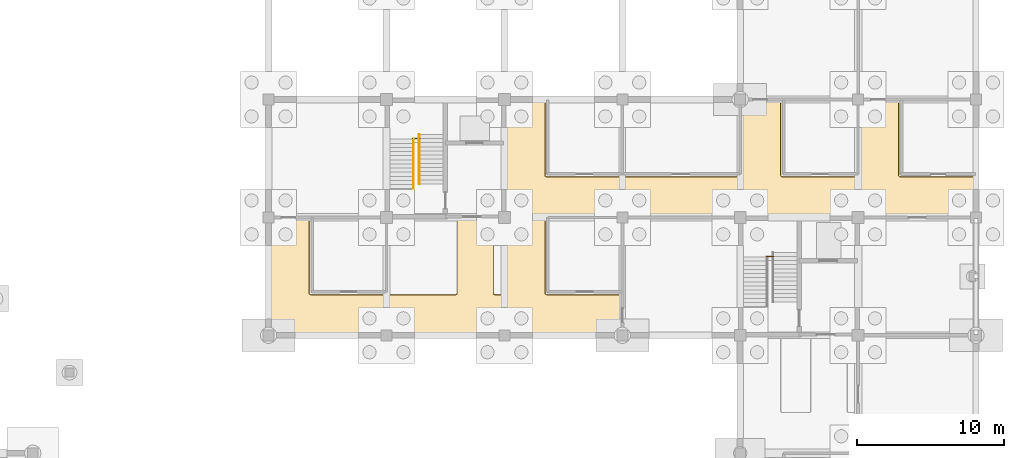
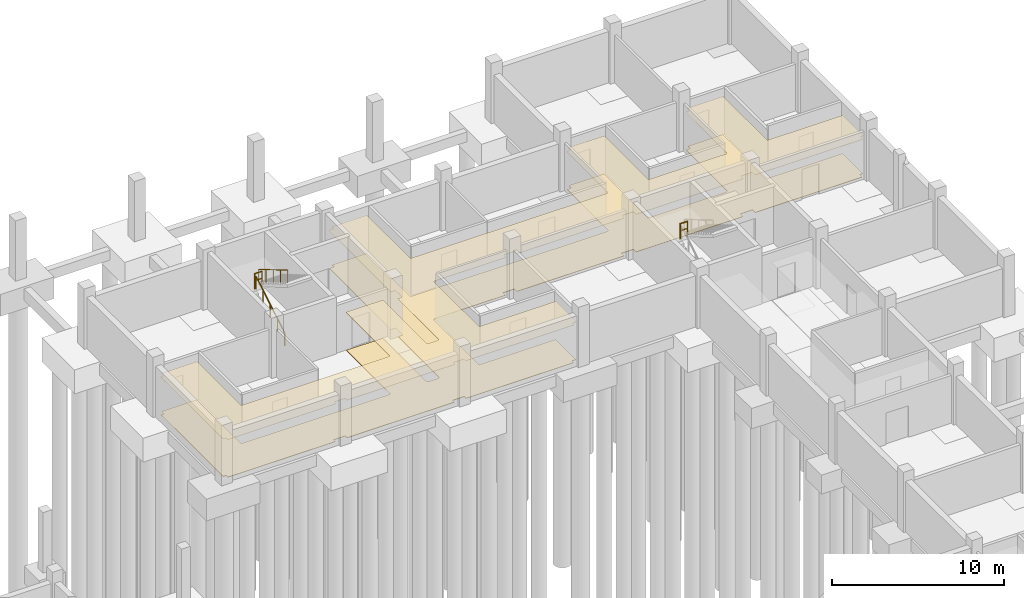
# One storey, part 47 of 48: 4 railings, 2 coverings.
"""IFC4 building model written with IfcOpenShell, lengths in metres."""

from ifc_helpers import new_model, si_unit, derived_unit, direction, frame, origin, origin_2d, place, context, subcontext, project, spatial, polyline, circle, outline, extrude, material, layer, layer_set, type_object, element, save


model = new_model("IFC4")

# Units and contexts
model_context = context("Model", 3, precision=1e-05, world=origin(), true_north=direction((0.0, 1.0)))
body_context = subcontext(model_context, "Body", "Model", "MODEL_VIEW")
ifc_project = project(units=[si_unit("LENGTHUNIT", "METRE"), si_unit("AREAUNIT", "SQUARE_METRE"), si_unit("VOLUMEUNIT", "CUBIC_METRE"), si_unit("PLANEANGLEUNIT", "RADIAN"), si_unit("MASSUNIT", "GRAM", prefix="KILO"), derived_unit("THERMALTRANSMITTANCEUNIT", [(si_unit("MASSUNIT", "GRAM", prefix="KILO"), 1), (si_unit("TIMEUNIT", "SECOND"), -3), (si_unit("THERMODYNAMICTEMPERATUREUNIT", "KELVIN"), -1)])], contexts=[model_context])

# Site, building, storey
site_placement = place(None, origin())
site = spatial("IfcSite", under=ifc_project, at=site_placement, CompositionType="ELEMENT")
building_placement = place(site_placement, origin())
building = spatial("IfcBuilding", under=site, at=building_placement, Name="Veyamyaing Civic Hall", CompositionType="ELEMENT")
storey_placement = place(building_placement, frame((0.0, 0.0, -4.2900390625)))
storey = spatial("IfcBuildingStorey", under=building, at=storey_placement, Name="B1", CompositionType="ELEMENT", Elevation=-4.2900390625)

# Coverings
ifc_material_1 = material(Name="Perforated acoustic gypsum ceiling board")
ifc_layer_1 = layer(ifc_material_1, 0.02490234375, Name="Perforated acoustic gypsum ceiling board")
ifc_layer_set_1 = layer_set([ifc_layer_1], Name="Perforated acoustic gypsum ceiling board")
covering_type_1 = type_object("IfcCoveringType", Name="CLG-01", PredefinedType="CEILING", material=ifc_layer_set_1)
covering_1_placement = place(storey_placement, frame((0.0, 0.0, 2.699951171875)))
element("IfcCovering", 1, at=covering_1_placement, inside=storey, type_object=covering_type_1, Name="Acoustic suspended ceiling CLG-01 B1-C06", PredefinedType="CEILING", context=body_context, shape_type="SweptSolid", body=[
    extrude(outline(polyline([(130.77490234375, 90.8525390625), (130.78125, 90.821533203125), (130.79736328125, 90.79736328125), (130.821533203125, 90.78125), (130.8525390625, 90.77490234375), (140.697509765625, 90.77490234375), (140.729248046875, 90.78125), (140.747314453125, 90.792236328125), (140.76220703125, 90.80859375), (140.771484375, 90.828369140625), (140.77490234375, 90.851806640625), (140.77490234375, 95.925048828125), (143.27490234375, 95.925048828125), (143.27685546875, 90.8349609375), (143.283935546875, 90.8154296875), (143.30322265625, 90.7919921875), (143.3212890625, 90.781005859375), (143.34326171875, 90.775390625), (143.99755859375, 90.77490234375), (144.028564453125, 90.78125), (144.052734375, 90.79736328125), (144.06884765625, 90.821533203125), (144.074951171875, 90.8525390625), (144.074951171875, 95.614990234375), (144.385009765625, 95.614990234375), (144.385009765625, 96.385009765625), (144.074951171875, 96.385009765625), (144.074951171875, 103.614990234375), (144.385009765625, 103.614990234375), (144.385009765625, 103.844970703125), (146.77490234375, 103.844970703125), (146.77490234375, 98.851806640625), (146.7783203125, 98.8291015625), (146.79248046875, 98.802734375), (146.8154296875, 98.783935546875), (146.834716796875, 98.77685546875), (159.99755859375, 98.77490234375), (160.029296875, 98.78125), (160.04736328125, 98.792236328125), (160.06201171875, 98.80859375), (160.071533203125, 98.828369140625), (160.074951171875, 98.851806640625), (160.074951171875, 103.639892578125), (160.360107421875, 103.639892578125), (160.360107421875, 103.925048828125), (162.77490234375, 103.925048828125), (162.77490234375, 98.851318359375), (162.776611328125, 98.8359375), (162.7841796875, 98.814208984375), (162.791748046875, 98.802978515625), (162.80859375, 98.787841796875), (162.828369140625, 98.778564453125), (162.851806640625, 98.77490234375), (168.01513671875, 98.77685546875), (168.03466796875, 98.783935546875), (168.0576171875, 98.802734375), (168.071533203125, 98.8291015625), (168.074951171875, 98.851806640625), (168.074951171875, 103.639892578125), (168.360107421875, 103.639892578125), (168.360107421875, 103.925048828125), (170.77490234375, 103.925048828125), (170.77490234375, 98.8525390625), (170.78125, 98.821533203125), (170.79736328125, 98.79736328125), (170.821533203125, 98.78125), (170.8525390625, 98.77490234375), (175.844970703125, 98.77490234375), (175.844970703125, 96.360107421875), (175.639892578125, 96.360107421875), (175.639892578125, 96.074951171875), (168.385009765625, 96.074951171875), (168.385009765625, 96.385009765625), (167.614990234375, 96.385009765625), (167.614990234375, 96.074951171875), (160.385009765625, 96.074951171875), (160.385009765625, 96.385009765625), (159.614990234375, 96.385009765625), (159.614990234375, 96.074951171875), (152.360107421875, 96.074951171875), (152.360107421875, 96.360107421875), (151.639892578125, 96.360107421875), (151.639892578125, 96.074951171875), (146.851806640625, 96.074951171875), (146.828369140625, 96.071533203125), (146.80859375, 96.06201171875), (146.791748046875, 96.047119140625), (146.7841796875, 96.035888671875), (146.776611328125, 96.013916015625), (146.77490234375, 95.998779296875), (146.77490234375, 90.851806640625), (146.778564453125, 90.828369140625), (146.787841796875, 90.80859375), (146.802978515625, 90.791748046875), (146.814697265625, 90.783935546875), (146.82763671875, 90.778564453125), (146.851806640625, 90.77490234375), (151.925048828125, 90.77490234375), (151.925048828125, 88.360107421875), (151.639892578125, 88.360107421875), (151.639892578125, 88.155029296875), (144.360107421875, 88.155029296875), (144.360107421875, 88.360107421875), (143.639892578125, 88.360107421875), (143.639892578125, 88.155029296875), (136.360107421875, 88.155029296875), (136.360107421875, 88.360107421875), (135.639892578125, 88.360107421875), (135.639892578125, 88.155029296875), (128.360107421875, 88.155029296875), (128.360107421875, 88.360107421875), (128.155029296875, 88.360107421875), (128.155029296875, 95.639892578125), (128.360107421875, 95.639892578125), (128.360107421875, 95.925048828125), (130.77490234375, 95.925048828125), (130.77490234375, 90.8525390625)])), origin(), (0.0, 0.0, 1.0), 0.025146484375),
])
ifc_material_2 = material(Name="Polished Mandalay marble and terrazzo flooring", Category="masonry")
ifc_layer_2 = layer(ifc_material_2, 0.030029296875, Name="Polished Mandalay marble and terrazzo flooring")
ifc_layer_set_2 = layer_set([ifc_layer_2], Name="Polished Mandalay marble and terrazzo flooring")
covering_type_2 = type_object("IfcCoveringType", Name="FLR-01", PredefinedType="FLOORING", material=ifc_layer_set_2)
covering_2_placement = place(storey_placement, origin())
element("IfcCovering", 2, at=covering_2_placement, inside=storey, type_object=covering_type_2, Name="Stone and terrazzo flooring FLR-01 B1-C06", PredefinedType="FLOORING", context=body_context, shape_type="SweptSolid", body=[
    extrude(outline(polyline([(130.75, 90.85009765625), (130.757568359375, 90.811767578125), (130.779296875, 90.779296875), (130.811767578125, 90.757568359375), (130.85009765625, 90.75), (140.699951171875, 90.75), (140.73828125, 90.757568359375), (140.763427734375, 90.772705078125), (140.783203125, 90.79443359375), (140.795654296875, 90.821044921875), (140.800048828125, 90.85009765625), (140.800048828125, 95.89990234375), (143.25, 95.89990234375), (143.251953125, 90.83056640625), (143.26171875, 90.802978515625), (143.28662109375, 90.772705078125), (143.311767578125, 90.757568359375), (143.340087890625, 90.75048828125), (144.0, 90.75), (144.038330078125, 90.757568359375), (144.07080078125, 90.779296875), (144.09228515625, 90.811767578125), (144.10009765625, 90.85009765625), (144.10009765625, 95.590087890625), (144.409912109375, 95.590087890625), (144.409912109375, 96.409912109375), (144.10009765625, 96.409912109375), (144.10009765625, 103.590087890625), (144.409912109375, 103.590087890625), (144.409912109375, 103.820068359375), (146.75, 103.820068359375), (146.75, 98.85009765625), (146.75439453125, 98.821044921875), (146.772705078125, 98.78662109375), (146.802978515625, 98.76171875), (146.83056640625, 98.751953125), (160.0, 98.75), (160.038330078125, 98.757568359375), (160.0634765625, 98.772705078125), (160.0830078125, 98.79443359375), (160.095703125, 98.821044921875), (160.10009765625, 98.85009765625), (160.10009765625, 103.614990234375), (160.385009765625, 103.614990234375), (160.385009765625, 103.89990234375), (162.75, 103.89990234375), (162.75, 98.85009765625), (162.751953125, 98.83056640625), (162.76171875, 98.802978515625), (162.772705078125, 98.78662109375), (162.79443359375, 98.766845703125), (162.821044921875, 98.75439453125), (162.85009765625, 98.75), (168.01953125, 98.751953125), (168.047119140625, 98.76171875), (168.077392578125, 98.78662109375), (168.095703125, 98.821044921875), (168.10009765625, 98.85009765625), (168.10009765625, 103.614990234375), (168.385009765625, 103.614990234375), (168.385009765625, 103.89990234375), (170.75, 103.89990234375), (170.75, 98.85009765625), (170.757568359375, 98.811767578125), (170.779296875, 98.779296875), (170.811767578125, 98.757568359375), (170.85009765625, 98.75), (175.820068359375, 98.75), (175.820068359375, 96.385009765625), (175.614990234375, 96.385009765625), (175.614990234375, 96.10009765625), (168.409912109375, 96.10009765625), (168.409912109375, 96.409912109375), (167.590087890625, 96.409912109375), (167.590087890625, 96.10009765625), (160.409912109375, 96.10009765625), (160.409912109375, 96.409912109375), (159.590087890625, 96.409912109375), (159.590087890625, 96.10009765625), (152.385009765625, 96.10009765625), (152.385009765625, 96.385009765625), (151.614990234375, 96.385009765625), (151.614990234375, 96.10009765625), (146.85009765625, 96.10009765625), (146.821044921875, 96.095703125), (146.79443359375, 96.0830078125), (146.772705078125, 96.0634765625), (146.76171875, 96.047119140625), (146.751953125, 96.01953125), (146.75, 96.0), (146.75, 90.85009765625), (146.75439453125, 90.821044921875), (146.766845703125, 90.79443359375), (146.78662109375, 90.772705078125), (146.802978515625, 90.76171875), (146.821044921875, 90.75439453125), (146.85009765625, 90.75), (151.89990234375, 90.75), (151.89990234375, 88.385009765625), (151.614990234375, 88.385009765625), (151.614990234375, 88.179931640625), (144.385009765625, 88.179931640625), (144.385009765625, 88.385009765625), (143.614990234375, 88.385009765625), (143.614990234375, 88.179931640625), (136.385009765625, 88.179931640625), (136.385009765625, 88.385009765625), (135.614990234375, 88.385009765625), (135.614990234375, 88.179931640625), (128.385009765625, 88.179931640625), (128.385009765625, 88.385009765625), (128.179931640625, 88.385009765625), (128.179931640625, 95.614990234375), (128.385009765625, 95.614990234375), (128.385009765625, 95.89990234375), (130.75, 95.89990234375), (130.75, 90.85009765625)])), origin(), (0.0, 0.0, 1.0), 0.030029296875),
])

# Railings
ifc_material_3 = material(Name="Steel S355J2", Category="steel")
railing_type_1 = type_object("IfcRailingType", Name="RL-01", PredefinedType="BALUSTRADE", material=ifc_material_3)
for number, where, name in (
    (3, (161.780029296875, 93.35009765625, 2.14501953125), "Half-landing slot guard RL-01 ST-03 B1"),
    (4, (137.780029296875, 101.35009765625, 2.14501953125), "Half-landing slot guard RL-01 ST-04 B1"),
):
    element("IfcRailing", number, at=place(storey_placement, frame(where)), inside=storey, type_object=railing_type_1, Name=name, PredefinedType="BALUSTRADE", context=body_context, shape_type="SweptSolid", body=[
        extrude(circle(Radius=0.02392578125, at=origin_2d()), frame((0.0, 0.0, 1.076171875), z_axis=(1.0, 0.0, 0.0), x_axis=(0.0, 1.0, 0.0)), (0.0, 0.0, 1.0), 0.489990234375),
        extrude(circle(Radius=0.01416015625, at=origin_2d()), frame((0.0, 0.0, 0.572021484375), z_axis=(1.0, 0.0, 0.0), x_axis=(0.0, 1.0, 0.0)), (0.0, 0.0, 1.0), 0.489990234375),
        extrude(circle(Radius=0.02099609375, at=origin_2d()), origin(), (0.0, 0.0, 1.0), 1.052001953125),
        extrude(circle(Radius=0.02099609375, at=origin_2d()), frame((0.489990234375, 0.0, 0.0)), (0.0, 0.0, 1.0), 1.052001953125),
    ])
railing_type_2 = type_object("IfcRailingType", Name="RL-02", PredefinedType="HANDRAIL", material=ifc_material_3)
railing_1_placement = place(storey_placement, frame((137.840087890625, 97.949951171875, 0.1650390625)))
element("IfcRailing", 5, at=railing_1_placement, inside=storey, type_object=railing_type_2, Name="Stair pitch handrail RL-02 ST-04 B1.1", PredefinedType="HANDRAIL", context=body_context, shape_type="SweptSolid", body=[
    extrude(circle(Radius=0.02392578125, at=origin_2d()), frame((0.0, 0.0, 0.89599609375), z_axis=(0.0, 0.861547751209, 0.507676543073), x_axis=(-1.0, 0.0, 0.0)), (0.0, 0.0, 1.0), 3.900146484375),
    extrude(circle(Radius=0.02099609375, at=origin_2d()), origin(), (0.0, 0.0, 1.0), 0.871826171875),
    extrude(circle(Radius=0.02099609375, at=origin_2d()), frame((0.0, 0.840087890625, 0.4951171875)), (0.0, 0.0, 1.0), 0.871826171875),
    extrude(circle(Radius=0.02099609375, at=origin_2d()), frame((0.0, 1.68017578125, 0.989990234375)), (0.0, 0.0, 1.0), 0.871826171875),
    extrude(circle(Radius=0.02099609375, at=origin_2d()), frame((0.0, 2.52001953125, 1.48486328125)), (0.0, 0.0, 1.0), 0.871826171875),
    extrude(circle(Radius=0.02099609375, at=origin_2d()), frame((0.0, 3.360107421875, 1.97998046875)), (0.0, 0.0, 1.0), 0.871826171875),
])
railing_2_placement = place(storey_placement, frame((138.219970703125, 101.6298828125, 2.31005859375)))
element("IfcRailing", 6, at=railing_2_placement, inside=storey, type_object=railing_type_2, Name="Stair pitch handrail RL-02 ST-04 B1.2", PredefinedType="HANDRAIL", context=body_context, shape_type="SweptSolid", body=[
    extrude(circle(Radius=0.02392578125, at=origin_2d()), frame((0.0, 0.0, 0.89599609375), z_axis=(0.0, -0.861531615964, 0.507703924246), x_axis=(1.0, 0.0, 0.0)), (0.0, 0.0, 1.0), 3.89990234375),
    extrude(circle(Radius=0.02099609375, at=origin_2d()), origin(), (0.0, 0.0, 1.0), 0.871826171875),
    extrude(circle(Radius=0.02099609375, at=origin_2d()), frame((0.0, -0.83984375, 0.4951171875)), (0.0, 0.0, 1.0), 0.871826171875),
    extrude(circle(Radius=0.02099609375, at=origin_2d()), frame((0.0, -1.679931640625, 0.989990234375)), (0.0, 0.0, 1.0), 0.871826171875),
    extrude(circle(Radius=0.02099609375, at=origin_2d()), frame((0.0, -2.52001953125, 1.48486328125)), (0.0, 0.0, 1.0), 0.871826171875),
    extrude(circle(Radius=0.02099609375, at=origin_2d()), frame((0.0, -3.35986328125, 1.97998046875)), (0.0, 0.0, 1.0), 0.871826171875),
])

save(model, "model.ifc")
